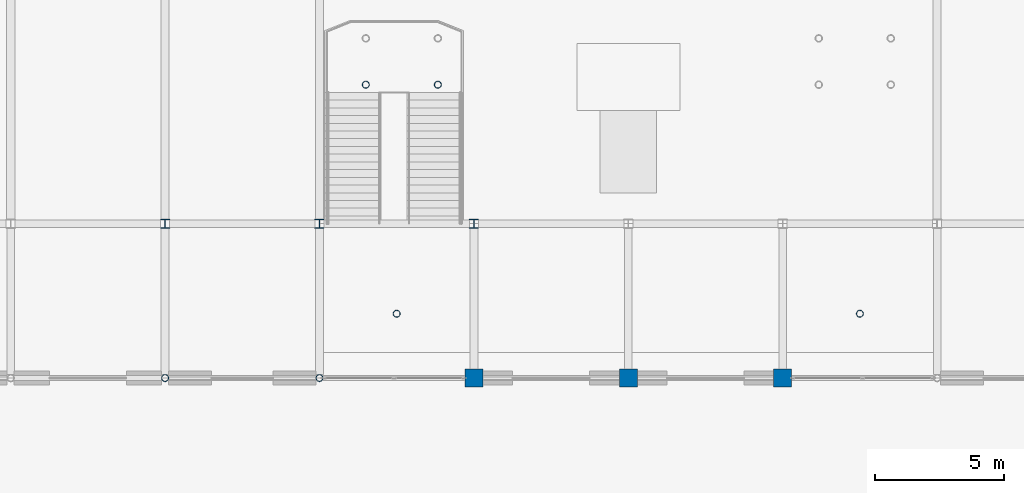
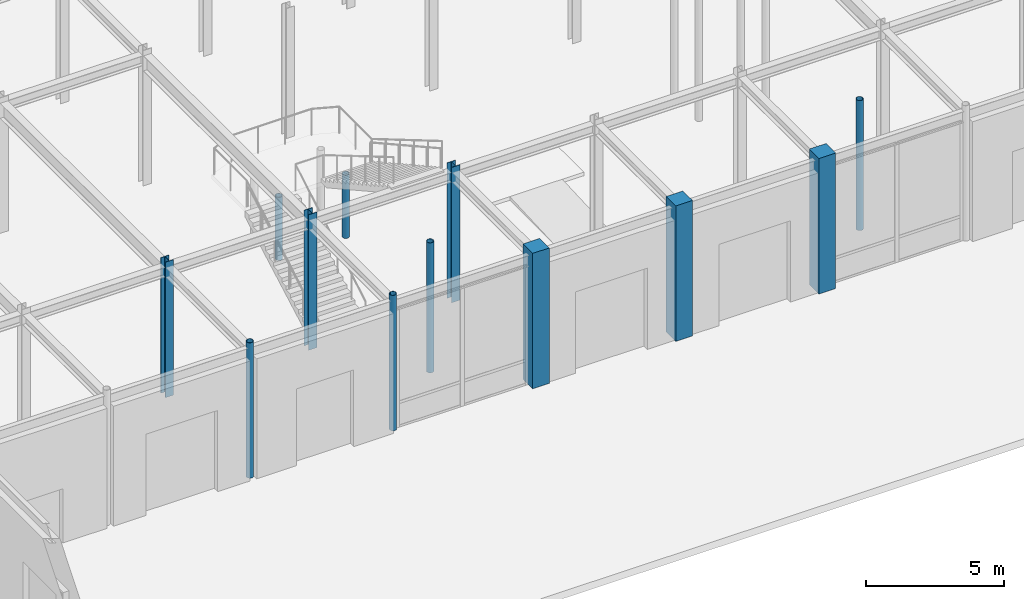
# One storey, part 7 of 51: 12 columns.
"""IFC4 building model written with IfcOpenShell, lengths in metres."""

from ifc_helpers import new_model, si_unit, direction, frame, origin, origin_2d, place, context, subcontext, project, spatial, rectangle, hollow_circle, i_section, extrude, material, material_profile, profile_set, type_object, element, save


model = new_model("IFC4")

# Units and contexts
model_context = context("Model", 3, precision=1e-05, world=origin(), true_north=direction((0.0, 1.0)))
body_context = subcontext(model_context, "Body", "Model", "MODEL_VIEW")
ifc_project = project(units=[si_unit("LENGTHUNIT", "METRE"), si_unit("AREAUNIT", "SQUARE_METRE"), si_unit("VOLUMEUNIT", "CUBIC_METRE"), si_unit("PLANEANGLEUNIT", "RADIAN"), si_unit("MASSUNIT", "GRAM", prefix="KILO")], contexts=[model_context])

# Site, building, storey
site_placement = place(None, origin())
site = spatial("IfcSite", under=ifc_project, at=site_placement, CompositionType="ELEMENT")
building_placement = place(site_placement, origin())
building = spatial("IfcBuilding", under=site, at=building_placement, Name="Zlatovratsky Civic Hall", CompositionType="ELEMENT")
storey_placement = place(building_placement, origin())
storey = spatial("IfcBuildingStorey", under=building, at=storey_placement, Name="L01", CompositionType="ELEMENT", Elevation=0.0)

# Columns
ifc_material_1 = material(Name="Concrete C35/45 (B40)", Category="concrete")
ifc_material_profile_1 = material_profile(ifc_material_1, rectangle(XDim=0.699951171875, YDim=0.699951171875, at=origin_2d()), Name="RC 700x700")
ifc_profile_set_1 = profile_set([ifc_material_profile_1], Name="Concrete C35/45 (B40)")
column_type_1 = type_object("IfcColumnType", Name="Col_CorePier_RC700", PredefinedType="COLUMN", material=ifc_profile_set_1)
for number, where, z_axis, x_axis, name in (
    (1, (78.0, 12.0, 0.0), (0.0, 0.0, 1.0), (1.0, 0.0, 0.0), "CL-0441"),
    (2, (84.0, 12.0, 0.0), (0.0, 0.0, 1.0), (1.0, 0.0, 0.0), "CL-0442"),
    (3, (90.0, 12.0, 0.0), (0.0, 0.0, 1.0), (1.0, 0.0, 0.0), "CL-0443"),
):
    element("IfcColumn", number, at=place(storey_placement, frame(where, z_axis=z_axis, x_axis=x_axis)), inside=storey, type_object=column_type_1, Name=name, PredefinedType="COLUMN", context=body_context, shape_type="SweptSolid", body=[
        extrude(rectangle(XDim=0.699951171875, YDim=0.699951171875, at=origin_2d()), origin(), (0.0, 0.0, 1.0), 6.0),
    ])
ifc_material_2 = material(Name="Steel S355", Category="steel")
ifc_material_profile_2 = material_profile(ifc_material_2, hollow_circle(Radius=0.136474609375, WallThickness=0.010009765625, at=origin_2d()), Name="CHS 273x10")
ifc_profile_set_2 = profile_set([ifc_material_profile_2], Name="Steel S355")
column_type_2 = type_object("IfcColumnType", Name="Col_Portico_CHS273", PredefinedType="COLUMN", material=ifc_profile_set_2)
for number, where, z_axis, x_axis, name in (
    (4, (66.0, 12.0, 0.0), (0.0, 0.0, 1.0), (1.0, 0.0, 0.0), "CL-0439"),
    (5, (72.0, 12.0, 0.0), (0.0, 0.0, 1.0), (1.0, 0.0, 0.0), "CL-0440"),
):
    element("IfcColumn", number, at=place(storey_placement, frame(where, z_axis=z_axis, x_axis=x_axis)), inside=storey, type_object=column_type_2, Name=name, PredefinedType="COLUMN", context=body_context, shape_type="SweptSolid", body=[
        extrude(hollow_circle(Radius=0.136474609375, WallThickness=0.010009765625, at=origin_2d()), origin(), (0.0, 0.0, 1.0), 6.0),
    ])
for number, where, z_axis, x_axis, name in (
    (6, (75.0, 14.5, 0.0), (0.0, 0.0, 1.0), (1.0, 0.0, 0.0), "CL-2756"),
    (7, (93.0, 14.5, 0.0), (0.0, 0.0, 1.0), (1.0, 0.0, 0.0), "CL-2759"),
):
    element("IfcColumn", number, at=place(storey_placement, frame(where, z_axis=z_axis, x_axis=x_axis)), inside=storey, type_object=column_type_2, Name=name, PredefinedType="COLUMN", context=body_context, shape_type="SweptSolid", body=[
        extrude(hollow_circle(Radius=0.136474609375, WallThickness=0.010009765625, at=origin_2d()), origin(), (0.0, 0.0, 1.0), 5.760009765625),
    ])
for number, where, z_axis, x_axis, name in (
    (8, (73.800048828125, 23.39990234375, 0.0), (0.0, 0.0, 1.0), (1.0, 0.0, 0.0), "CL-I1-738-234"),
    (9, (76.60009765625, 23.39990234375, 0.0), (0.0, 0.0, 1.0), (1.0, 0.0, 0.0), "CL-I1-766-234"),
):
    element("IfcColumn", number, at=place(storey_placement, frame(where, z_axis=z_axis, x_axis=x_axis)), inside=storey, type_object=column_type_2, Name=name, PredefinedType="COLUMN", context=body_context, shape_type="SweptSolid", body=[
        extrude(hollow_circle(Radius=0.136474609375, WallThickness=0.010009765625, at=origin_2d()), origin(), (0.0, 0.0, 1.0), 2.800048828125),
    ])
ifc_material_profile_3 = material_profile(ifc_material_2, i_section(OverallWidth=0.35009765625, OverallDepth=0.343017578125, WebThickness=0.010009765625, FlangeThickness=0.014892578125, FilletRadius=0.02001953125, at=origin_2d()), Name="35K1")
ifc_profile_set_3 = profile_set([ifc_material_profile_3], Name="Steel S355")
column_type_3 = type_object("IfcColumnType", Name="Col_Steel_35K1", PredefinedType="COLUMN", material=ifc_profile_set_3)
for number, where, z_axis, x_axis, name in (
    (10, (66.0, 18.0, 0.0), (0.0, 0.0, 1.0), (1.0, 0.0, 0.0), "CL-0462"),
    (11, (72.0, 18.0, 0.0), (0.0, 0.0, 1.0), (1.0, 0.0, 0.0), "CL-0463"),
    (12, (78.0, 18.0, 0.0), (0.0, 0.0, 1.0), (1.0, 0.0, 0.0), "CL-0464"),
):
    element("IfcColumn", number, at=place(storey_placement, frame(where, z_axis=z_axis, x_axis=x_axis)), inside=storey, type_object=column_type_3, Name=name, PredefinedType="COLUMN", context=body_context, shape_type="SweptSolid", body=[
        extrude(i_section(OverallWidth=0.35009765625, OverallDepth=0.343017578125, WebThickness=0.010009765625, FlangeThickness=0.014892578125, FilletRadius=0.02001953125, at=origin_2d()), origin(), (0.0, 0.0, 1.0), 6.0),
    ])

save(model, "model.ifc")
